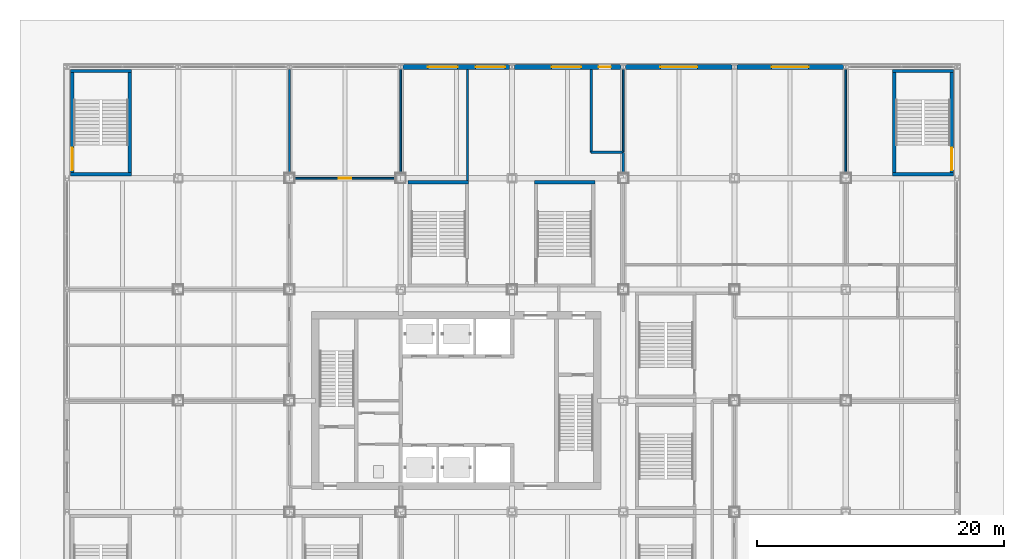
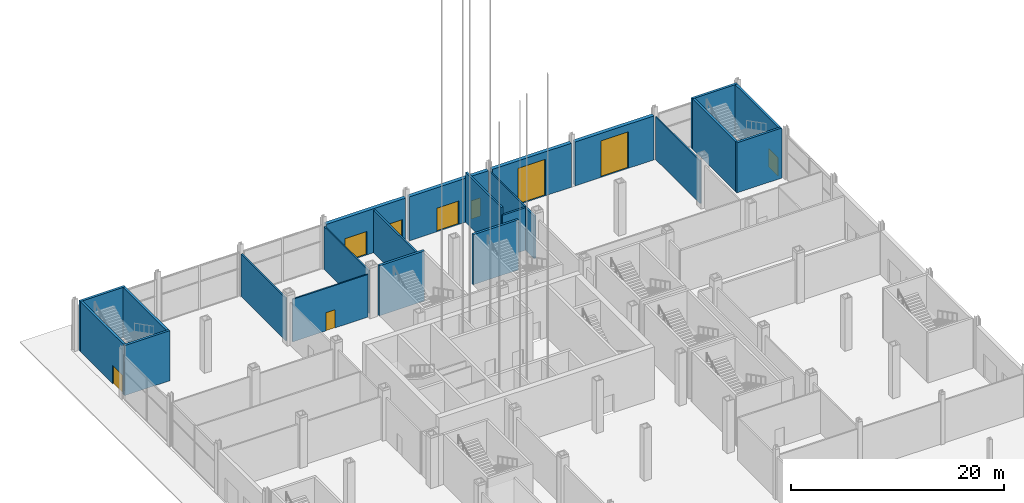
# One storey, part 22 of 34: 23 walls, 9 doors, 9 openings.
"""IFC4 building model written with IfcOpenShell, lengths in metres."""

from ifc_helpers import new_model, si_unit, direction, frame, frame_2d, origin, place, context, subcontext, project, spatial, rectangle, extrude, material, layer, layer_set, type_object, element, fill, save


model = new_model("IFC4")

# Units and contexts
model_context = context("Model", 3, precision=1e-05, world=origin(), true_north=direction((0.0, 1.0)))
body_context = subcontext(model_context, "Body", "Model", "MODEL_VIEW")
ifc_project = project(units=[si_unit("LENGTHUNIT", "METRE"), si_unit("AREAUNIT", "SQUARE_METRE"), si_unit("VOLUMEUNIT", "CUBIC_METRE"), si_unit("PLANEANGLEUNIT", "RADIAN"), si_unit("MASSUNIT", "GRAM", prefix="KILO")], contexts=[model_context])

# Site, building, storey
site_placement = place(None, origin())
site = spatial("IfcSite", under=ifc_project, at=site_placement, CompositionType="ELEMENT")
building_placement = place(site_placement, origin())
building = spatial("IfcBuilding", under=site, at=building_placement, Name="Loomwork Tower", CompositionType="ELEMENT")
storey_placement = place(building_placement, origin())
storey = spatial("IfcBuildingStorey", under=building, at=storey_placement, Name="L00", CompositionType="ELEMENT", Elevation=0.0)

# Wall, openings, doors
ifc_material_1 = material(Name="Limestone on concrete masonry", Category="masonry")
ifc_layer_1 = layer(ifc_material_1, 0.39990234375)
ifc_layer_set_1 = layer_set([ifc_layer_1], Name="Entrance portal wall 400")
wall_type_1 = type_object("IfcWallType", Name="Entrance portal wall 400", PredefinedType="SOLIDWALL", material=ifc_layer_set_1)
wall_1_placement = place(storey_placement, frame((26.79931640625, 45.0, 0.0), z_axis=(0.0, 0.0, 1.0), x_axis=(-1.0, 0.0, 0.0)))
wall_1 = element("IfcWall", 1, at=wall_1_placement, inside=storey, type_object=wall_type_1, Name="Entrance portal wall N 18", PredefinedType="SOLIDWALL", context=body_context, shape_type="SweptSolid", body=[
    extrude(rectangle(XDim=8.5986328125, YDim=0.39990234375, at=frame_2d((4.29931640625, 0.0))), origin(), (0.0, 0.0, 1.0), 5.053955078125),
])
opening_1_placement = place(wall_1_placement, frame((0.35009765625, 0.0, 0.0)))
opening_1 = element("IfcOpeningElement", 2, at=opening_1_placement, cuts=wall_1, Name="Opening D10", PredefinedType="OPENING", context=body_context, shape_type="SweptSolid", body=[
    extrude(rectangle(XDim=2.39990234375, YDim=2.699951171875, at=frame_2d((1.199951171875, 1.35009765625))), frame((0.0, 0.2099609375, 0.0), z_axis=(0.0, -1.0, 0.0), x_axis=(1.0, 0.0, 0.0)), (0.0, 0.0, 1.0), 0.419921875),
])
opening_2_placement = place(wall_1_placement, frame((4.199951171875, 0.0, 0.0)))
opening_2 = element("IfcOpeningElement", 3, at=opening_2_placement, cuts=wall_1, Name="Opening D10", PredefinedType="OPENING", context=body_context, shape_type="SweptSolid", body=[
    extrude(rectangle(XDim=2.39990234375, YDim=2.699951171875, at=frame_2d((1.199951171875, 1.35009765625))), frame((0.0, 0.2099609375, 0.0), z_axis=(0.0, -1.0, 0.0), x_axis=(1.0, 0.0, 0.0)), (0.0, 0.0, 1.0), 0.419921875),
])
ifc_material_2 = material(Name="Hollow metal door and frame")
door_type_1 = type_object("IfcDoorType", Name="Entrance door 2400", OperationType="DOUBLE_DOOR_SINGLE_SWING", PredefinedType="DOOR", material=ifc_material_2)
door_1_placement = place(opening_1_placement, frame((2.39990234375, 0.0, 0.0), z_axis=(0.0, 0.0, 1.0), x_axis=(-1.0, 0.0, 0.0)))
door_1 = element("IfcDoor", 4, at=door_1_placement, inside=storey, type_object=door_type_1, Name="Final exit door N 18 1", OperationType="DOUBLE_DOOR_SINGLE_SWING", OverallHeight=2.699951171875, OverallWidth=2.39990234375, PredefinedType="DOOR", context=body_context, shape_type="SweptSolid", body=[
    extrude(rectangle(XDim=2.39990234375, YDim=2.699951171875, at=frame_2d((1.199951171875, 1.35009765625))), frame((0.0, 0.02490234375, 0.0), z_axis=(0.0, -1.0, 0.0), x_axis=(1.0, 0.0, 0.0)), (0.0, 0.0, 1.0), 0.050048828125),
])
fill(opening_1, door_1)
door_2_placement = place(opening_2_placement, frame((2.39990234375, 0.0, 0.0), z_axis=(0.0, 0.0, 1.0), x_axis=(-1.0, 0.0, 0.0)))
door_2 = element("IfcDoor", 5, at=door_2_placement, inside=storey, type_object=door_type_1, Name="Entrance door N 18 2", OperationType="DOUBLE_DOOR_SINGLE_SWING", OverallHeight=2.699951171875, OverallWidth=2.39990234375, PredefinedType="DOOR", context=body_context, shape_type="SweptSolid", body=[
    extrude(rectangle(XDim=2.39990234375, YDim=2.699951171875, at=frame_2d((1.199951171875, 1.35009765625))), frame((0.0, 0.02490234375, 0.0), z_axis=(0.0, -1.0, 0.0), x_axis=(1.0, 0.0, 0.0)), (0.0, 0.0, 1.0), 0.050048828125),
])
fill(opening_2, door_2)

wall_2_placement = place(storey_placement, frame((35.79931640625, 45.0, 0.0), z_axis=(0.0, 0.0, 1.0), x_axis=(-1.0, 0.0, 0.0)))
wall_2 = element("IfcWall", 6, at=wall_2_placement, inside=storey, type_object=wall_type_1, Name="Entrance portal wall N 27", PredefinedType="SOLIDWALL", context=body_context, shape_type="SweptSolid", body=[
    extrude(rectangle(XDim=8.5986328125, YDim=0.39990234375, at=frame_2d((4.29931640625, 0.0))), origin(), (0.0, 0.0, 1.0), 5.053955078125),
])
opening_3_placement = place(wall_2_placement, frame((0.800048828125, 0.0, 0.0)))
opening_3 = element("IfcOpeningElement", 7, at=opening_3_placement, cuts=wall_2, Name="Opening D12", PredefinedType="OPENING", context=body_context, shape_type="SweptSolid", body=[
    extrude(rectangle(XDim=1.0, YDim=2.10009765625, at=frame_2d((0.5, 1.050048828125))), frame((0.0, 0.2099609375, 0.0), z_axis=(0.0, -1.0, 0.0), x_axis=(1.0, 0.0, 0.0)), (0.0, 0.0, 1.0), 0.419921875),
])
opening_4_placement = place(wall_2_placement, frame((3.199951171875, 0.0, 0.0)))
opening_4 = element("IfcOpeningElement", 8, at=opening_4_placement, cuts=wall_2, Name="Opening D10", PredefinedType="OPENING", context=body_context, shape_type="SweptSolid", body=[
    extrude(rectangle(XDim=2.39990234375, YDim=2.699951171875, at=frame_2d((1.199951171875, 1.35009765625))), frame((0.0, 0.2099609375, 0.0), z_axis=(0.0, -1.0, 0.0), x_axis=(1.0, 0.0, 0.0)), (0.0, 0.0, 1.0), 0.419921875),
])
door_3_placement = place(opening_4_placement, frame((2.39990234375, 0.0, 0.0), z_axis=(0.0, 0.0, 1.0), x_axis=(-1.0, 0.0, 0.0)))
door_3 = element("IfcDoor", 9, at=door_3_placement, inside=storey, type_object=door_type_1, Name="Final exit door N 27 2", OperationType="DOUBLE_DOOR_SINGLE_SWING", OverallHeight=2.699951171875, OverallWidth=2.39990234375, PredefinedType="DOOR", context=body_context, shape_type="SweptSolid", body=[
    extrude(rectangle(XDim=2.39990234375, YDim=2.699951171875, at=frame_2d((1.199951171875, 1.35009765625))), frame((0.0, 0.02490234375, 0.0), z_axis=(0.0, -1.0, 0.0), x_axis=(1.0, 0.0, 0.0)), (0.0, 0.0, 1.0), 0.050048828125),
])
fill(opening_4, door_3)
ifc_material_3 = material(Name="Hollow metal door and frame")
door_type_2 = type_object("IfcDoorType", Name="External service door 1000", OperationType="SINGLE_SWING_RIGHT", PredefinedType="DOOR", material=ifc_material_3)
door_4_placement = place(opening_3_placement, origin())
door_4 = element("IfcDoor", 10, at=door_4_placement, inside=storey, type_object=door_type_2, Name="Service door N 27 1", OperationType="SINGLE_SWING_RIGHT", OverallHeight=2.10009765625, OverallWidth=1.0, PredefinedType="DOOR", context=body_context, shape_type="SweptSolid", body=[
    extrude(rectangle(XDim=1.0, YDim=2.10009765625, at=frame_2d((0.5, 1.050048828125))), frame((0.0, 0.02490234375, 0.0), z_axis=(0.0, -1.0, 0.0), x_axis=(1.0, 0.0, 0.0)), (0.0, 0.0, 1.0), 0.050048828125),
])
fill(opening_3, door_4)

# Wall, opening, door
wall_3_placement = place(storey_placement, frame((44.79931640625, 45.0, 0.0), z_axis=(0.0, 0.0, 1.0), x_axis=(-1.0, 0.0, 0.0)))
wall_3 = element("IfcWall", 11, at=wall_3_placement, inside=storey, type_object=wall_type_1, Name="Entrance portal wall N 36", PredefinedType="SOLIDWALL", context=body_context, shape_type="SweptSolid", body=[
    extrude(rectangle(XDim=8.5986328125, YDim=0.39990234375, at=frame_2d((4.29931640625, 0.0))), origin(), (0.0, 0.0, 1.0), 5.053955078125),
])
opening_5_placement = place(wall_3_placement, frame((2.79931640625, 0.0, 0.0)))
opening_5 = element("IfcOpeningElement", 12, at=opening_5_placement, cuts=wall_3, Name="Opening D11", PredefinedType="OPENING", context=body_context, shape_type="SweptSolid", body=[
    extrude(rectangle(XDim=3.0, YDim=4.199951171875, at=frame_2d((1.5, 2.10009765625))), frame((0.0, 0.2099609375, 0.0), z_axis=(0.0, -1.0, 0.0), x_axis=(1.0, 0.0, 0.0)), (0.0, 0.0, 1.0), 0.419921875),
])
ifc_material_4 = material(Name="Hollow metal door and frame")
door_type_3 = type_object("IfcDoorType", Name="Loading dock door 3000", OperationType="ROLLINGUP", PredefinedType="DOOR", material=ifc_material_4)
door_5_placement = place(opening_5_placement, origin())
door_5 = element("IfcDoor", 13, at=door_5_placement, inside=storey, type_object=door_type_3, Name="Dock door N 36 1", OperationType="ROLLINGUP", OverallHeight=4.199951171875, OverallWidth=3.0, PredefinedType="DOOR", context=body_context, shape_type="SweptSolid", body=[
    extrude(rectangle(XDim=3.0, YDim=4.199951171875, at=frame_2d((1.5, 2.10009765625))), frame((0.0, 0.02490234375, 0.0), z_axis=(0.0, -1.0, 0.0), x_axis=(1.0, 0.0, 0.0)), (0.0, 0.0, 1.0), 0.050048828125),
])
fill(opening_5, door_5)

wall_4_placement = place(storey_placement, frame((53.79931640625, 45.0, 0.0), z_axis=(0.0, 0.0, 1.0), x_axis=(-1.0, 0.0, 0.0)))
wall_4 = element("IfcWall", 14, at=wall_4_placement, inside=storey, type_object=wall_type_1, Name="Entrance portal wall N 45", PredefinedType="SOLIDWALL", context=body_context, shape_type="SweptSolid", body=[
    extrude(rectangle(XDim=8.5986328125, YDim=0.39990234375, at=frame_2d((4.29931640625, 0.0))), origin(), (0.0, 0.0, 1.0), 5.053955078125),
])
opening_6_placement = place(wall_4_placement, frame((2.79931640625, 0.0, 0.0)))
opening_6 = element("IfcOpeningElement", 15, at=opening_6_placement, cuts=wall_4, Name="Opening D11", PredefinedType="OPENING", context=body_context, shape_type="SweptSolid", body=[
    extrude(rectangle(XDim=3.0, YDim=4.199951171875, at=frame_2d((1.5, 2.10009765625))), frame((0.0, 0.2099609375, 0.0), z_axis=(0.0, -1.0, 0.0), x_axis=(1.0, 0.0, 0.0)), (0.0, 0.0, 1.0), 0.419921875),
])
door_6_placement = place(opening_6_placement, origin())
door_6 = element("IfcDoor", 16, at=door_6_placement, inside=storey, type_object=door_type_3, Name="Dock door N 45 1", OperationType="ROLLINGUP", OverallHeight=4.199951171875, OverallWidth=3.0, PredefinedType="DOOR", context=body_context, shape_type="SweptSolid", body=[
    extrude(rectangle(XDim=3.0, YDim=4.199951171875, at=frame_2d((1.5, 2.10009765625))), frame((0.0, 0.02490234375, 0.0), z_axis=(0.0, -1.0, 0.0), x_axis=(1.0, 0.0, 0.0)), (0.0, 0.0, 1.0), 0.050048828125),
])
fill(opening_6, door_6)

ifc_material_5 = material(Name="Gypsum board on steel studs, one-hour", Category="steel")
ifc_layer_2 = layer(ifc_material_5, 0.14990234375)
ifc_layer_set_2 = layer_set([ifc_layer_2], Name="Partition 150")
wall_type_2 = type_object("IfcWallType", Name="Partition 150", PredefinedType="PARTITIONING", material=ifc_layer_set_2)
wall_5_placement = place(storey_placement, frame((17.60009765625, 36.0, 0.0), z_axis=(0.0, 0.0, 1.0), x_axis=(-1.0, 0.0, 0.0)))
wall_5 = element("IfcWall", 17, at=wall_5_placement, inside=storey, type_object=wall_type_2, Name="Partition L00 13.1", PredefinedType="PARTITIONING", context=body_context, shape_type="SweptSolid", body=[
    extrude(rectangle(XDim=8.2001953125, YDim=0.14990234375, at=frame_2d((4.10009765625, 0.0))), origin(), (0.0, 0.0, 1.0), 4.8916015625),
])
opening_7_placement = place(wall_5_placement, frame((3.60009765625, 0.0, 0.0)))
opening_7 = element("IfcOpeningElement", 18, at=opening_7_placement, cuts=wall_5, Name="Opening D7", PredefinedType="OPENING", context=body_context, shape_type="SweptSolid", body=[
    extrude(rectangle(XDim=1.0, YDim=2.10009765625, at=frame_2d((0.5, 1.050048828125))), frame((0.0, 0.0849609375, 0.0), z_axis=(0.0, -1.0, 0.0), x_axis=(1.0, 0.0, 0.0)), (0.0, 0.0, 1.0), 0.169921875),
])
ifc_material_6 = material(Name="Hollow metal door and frame")
door_type_4 = type_object("IfcDoorType", Name="Room door 1000", OperationType="SINGLE_SWING_LEFT", PredefinedType="DOOR", material=ifc_material_6)
door_7_placement = place(opening_7_placement, origin())
door_7 = element("IfcDoor", 19, at=door_7_placement, inside=storey, type_object=door_type_4, Name="Coffee shop door", OperationType="SINGLE_SWING_RIGHT", OverallHeight=2.10009765625, OverallWidth=1.0, PredefinedType="DOOR", context=body_context, shape_type="SweptSolid", body=[
    extrude(rectangle(XDim=1.0, YDim=2.10009765625, at=frame_2d((0.5, 1.050048828125))), frame((0.0, 0.02490234375, 0.0), z_axis=(0.0, -1.0, 0.0), x_axis=(1.0, 0.0, 0.0)), (0.0, 0.0, 1.0), 0.050048828125),
])
fill(opening_7, door_7)

# Walls
for number, where, z_axis, x_axis, name in (
    (20, (9.0, 36.39990234375, 0.0), (0.0, 0.0, 1.0), (0.0, 1.0, 0.0), "Partition L00 14.1"),
    (21, (18.0, 44.800537109375, 0.0), (0.0, 0.0, 1.0), (0.0, -1.0, 0.0), "Partition L00 15.1"),
):
    element("IfcWall", number, at=place(storey_placement, frame(where, z_axis=z_axis, x_axis=x_axis)), inside=storey, type_object=wall_type_2, Name=name, PredefinedType="PARTITIONING", context=body_context, shape_type="SweptSolid", body=[
        extrude(rectangle(XDim=8.400634765625, YDim=0.14990234375, at=frame_2d((4.2001953125, 0.0))), origin(), (0.0, 0.0, 1.0), 4.8916015625),
    ])
wall_6_placement = place(storey_placement, frame((36.0, 38.14990234375, 0.0), z_axis=(0.0, 0.0, 1.0), x_axis=(0.0, 1.0, 0.0)))
element("IfcWall", 22, at=wall_6_placement, inside=storey, type_object=wall_type_2, Name="Partition L00 20.1", PredefinedType="PARTITIONING", context=body_context, shape_type="SweptSolid", body=[
    extrude(rectangle(XDim=6.650634765625, YDim=0.14990234375, at=frame_2d((3.3251953125, 0.0))), origin(), (0.0, 0.0, 1.0), 4.8916015625),
])
wall_7_placement = place(storey_placement, frame((54.0, 44.800537109375, 0.0), z_axis=(0.0, 0.0, 1.0), x_axis=(0.0, -1.0, 0.0)))
element("IfcWall", 23, at=wall_7_placement, inside=storey, type_object=wall_type_2, Name="Partition L00 26.1", PredefinedType="PARTITIONING", context=body_context, shape_type="SweptSolid", body=[
    extrude(rectangle(XDim=8.400634765625, YDim=0.14990234375, at=frame_2d((4.2001953125, 0.0))), origin(), (0.0, 0.0, 1.0), 4.8916015625),
])
ifc_material_7 = material(Name="Gypsum board on steel studs, two-hour", Category="steel")
ifc_layer_3 = layer(ifc_material_7, 0.199951171875)
ifc_layer_set_3 = layer_set([ifc_layer_3], Name="Refuge enclosure wall 200")
wall_type_3 = type_object("IfcWallType", Name="Refuge enclosure wall 200", PredefinedType="PARTITIONING", material=ifc_layer_set_3)
wall_8_placement = place(storey_placement, frame((36.0, 36.39990234375, 0.0), z_axis=(0.0, 0.0, 1.0), x_axis=(0.0, 1.0, 0.0)))
element("IfcWall", 24, at=wall_8_placement, inside=storey, type_object=wall_type_3, Name="Exit passageway wall ep-n-e0 3", PredefinedType="PARTITIONING", context=body_context, shape_type="SweptSolid", body=[
    extrude(rectangle(XDim=1.7001953125, YDim=0.199951171875, at=frame_2d((0.85009765625, 0.0))), origin(), (0.0, 0.0, 1.0), 4.8916015625),
])
wall_9_placement = place(storey_placement, frame((33.39990234375, 38.10009765625, 0.0), z_axis=(0.0, 0.0, 1.0), x_axis=(1.0, 0.0, 0.0)))
element("IfcWall", 25, at=wall_9_placement, inside=storey, type_object=wall_type_3, Name="Exit passageway wall ep-n-n0 1", PredefinedType="PARTITIONING", context=body_context, shape_type="SweptSolid", body=[
    extrude(rectangle(XDim=2.60009765625, YDim=0.199951171875, at=frame_2d((1.300048828125, 0.0))), origin(), (0.0, 0.0, 1.0), 4.89111328125),
])
wall_10_placement = place(storey_placement, frame((33.39990234375, 38.10009765625, 0.0), z_axis=(0.0, 0.0, 1.0), x_axis=(0.0, 1.0, 0.0)))
element("IfcWall", 26, at=wall_10_placement, inside=storey, type_object=wall_type_3, Name="Exit passageway wall ep-n-e1 1", PredefinedType="PARTITIONING", context=body_context, shape_type="SweptSolid", body=[
    extrude(rectangle(XDim=6.699951171875, YDim=0.199951171875, at=frame_2d((3.35009765625, 0.0))), origin(), (0.0, 0.0, 1.0), 5.75),
])
wall_11_placement = place(storey_placement, frame((23.39990234375, 35.800048828125, 0.0), z_axis=(0.0, 0.0, 1.0), x_axis=(0.0, 1.0, 0.0)))
element("IfcWall", 27, at=wall_11_placement, inside=storey, type_object=wall_type_3, Name="Exit passageway wall ep-n-w1 1", PredefinedType="PARTITIONING", context=body_context, shape_type="SweptSolid", body=[
    extrude(rectangle(XDim=9.0, YDim=0.199951171875, at=frame_2d((4.5, 0.0))), origin(), (0.0, 0.0, 1.0), 4.89111328125),
])
ifc_material_8 = material(Name="Concrete masonry, two-hour", Category="masonry")
ifc_layer_4 = layer(ifc_material_8, 0.25)
ifc_layer_set_4 = layer_set([ifc_layer_4], Name="Stair enclosure wall 250")
wall_type_4 = type_object("IfcWallType", Name="Stair enclosure wall 250", PredefinedType="SOLIDWALL", material=ifc_layer_set_4)
for number, where, z_axis, x_axis, name in (
    (28, (-8.699951171875, 36.324951171875, 0.0), (0.0, 0.0, 1.0), (1.0, 0.0, 0.0), "Stair PS3 enclosure wall S L00"),
    (29, (-8.699951171875, 44.675048828125, 0.0), (0.0, 0.0, 1.0), (1.0, 0.0, 0.0), "Stair PS3 enclosure wall N L00"),
):
    element("IfcWall", number, at=place(storey_placement, frame(where, z_axis=z_axis, x_axis=x_axis)), inside=storey, type_object=wall_type_4, Name=name, PredefinedType="SOLIDWALL", context=body_context, shape_type="SweptSolid", body=[
        extrude(rectangle(XDim=4.89990234375, YDim=0.25, at=frame_2d((2.449951171875, 0.0))), origin(), (0.0, 0.0, 1.0), 5.75),
    ])

# Wall, opening, door
wall_12_placement = place(storey_placement, frame((-8.574951171875, 36.449951171875, 0.0), z_axis=(0.0, 0.0, 1.0), x_axis=(0.0, 1.0, 0.0)))
wall_12 = element("IfcWall", 30, at=wall_12_placement, inside=storey, type_object=wall_type_4, Name="Stair PS3 enclosure wall W L00", PredefinedType="SOLIDWALL", context=body_context, shape_type="SweptSolid", body=[
    extrude(rectangle(XDim=8.10009765625, YDim=0.25, at=frame_2d((4.050048828125, 0.0))), origin(), (0.0, 0.0, 1.0), 5.75),
])
opening_8_placement = place(wall_12_placement, frame((0.199951171875, 0.0, 0.0)))
opening_8 = element("IfcOpeningElement", 31, at=opening_8_placement, cuts=wall_12, Name="Opening D14", PredefinedType="OPENING", context=body_context, shape_type="SweptSolid", body=[
    extrude(rectangle(XDim=1.800048828125, YDim=2.10009765625, at=frame_2d((0.89990234375, 1.050048828125))), frame((0.0, 0.135009765625, 0.0), z_axis=(0.0, -1.0, 0.0), x_axis=(1.0, 0.0, 0.0)), (0.0, 0.0, 1.0), 0.27001953125),
])
ifc_material_9 = material(Name="Hollow metal door and frame")
door_type_5 = type_object("IfcDoorType", Name="Stair double door 1800", OperationType="DOUBLE_DOOR_SINGLE_SWING", PredefinedType="DOOR", material=ifc_material_9)
door_8_placement = place(opening_8_placement, origin())
door_8 = element("IfcDoor", 32, at=door_8_placement, inside=storey, type_object=door_type_5, Name="Stair PS3 exit discharge door L00", OperationType="DOUBLE_DOOR_SINGLE_SWING", OverallHeight=2.10009765625, OverallWidth=1.800048828125, PredefinedType="DOOR", context=body_context, shape_type="SweptSolid", body=[
    extrude(rectangle(XDim=1.800048828125, YDim=2.10009765625, at=frame_2d((0.89990234375, 1.050048828125))), frame((0.0, 0.02490234375, 0.0), z_axis=(0.0, -1.0, 0.0), x_axis=(1.0, 0.0, 0.0)), (0.0, 0.0, 1.0), 0.050048828125),
])
fill(opening_8, door_8)

# Walls
wall_13_placement = place(storey_placement, frame((-3.925048828125, 36.449951171875, 0.0), z_axis=(0.0, 0.0, 1.0), x_axis=(0.0, 1.0, 0.0)))
element("IfcWall", 33, at=wall_13_placement, inside=storey, type_object=wall_type_4, Name="Stair PS3 enclosure wall E L00", PredefinedType="SOLIDWALL", context=body_context, shape_type="SweptSolid", body=[
    extrude(rectangle(XDim=8.10009765625, YDim=0.25, at=frame_2d((4.050048828125, 0.0))), origin(), (0.0, 0.0, 1.0), 5.75),
])
for number, where, z_axis, x_axis, name in (
    (34, (57.800048828125, 36.324951171875, 0.0), (0.0, 0.0, 1.0), (1.0, 0.0, 0.0), "Stair PS4 enclosure wall S L00"),
    (35, (57.800048828125, 44.675048828125, 0.0), (0.0, 0.0, 1.0), (1.0, 0.0, 0.0), "Stair PS4 enclosure wall N L00"),
):
    element("IfcWall", number, at=place(storey_placement, frame(where, z_axis=z_axis, x_axis=x_axis)), inside=storey, type_object=wall_type_4, Name=name, PredefinedType="SOLIDWALL", context=body_context, shape_type="SweptSolid", body=[
        extrude(rectangle(XDim=4.89990234375, YDim=0.25, at=frame_2d((2.449951171875, 0.0))), origin(), (0.0, 0.0, 1.0), 5.75),
    ])
wall_14_placement = place(storey_placement, frame((57.925048828125, 36.449951171875, 0.0), z_axis=(0.0, 0.0, 1.0), x_axis=(0.0, 1.0, 0.0)))
element("IfcWall", 36, at=wall_14_placement, inside=storey, type_object=wall_type_4, Name="Stair PS4 enclosure wall W L00", PredefinedType="SOLIDWALL", context=body_context, shape_type="SweptSolid", body=[
    extrude(rectangle(XDim=8.10009765625, YDim=0.25, at=frame_2d((4.050048828125, 0.0))), origin(), (0.0, 0.0, 1.0), 5.75),
])

# Wall, opening, door
wall_15_placement = place(storey_placement, frame((62.574951171875, 36.449951171875, 0.0), z_axis=(0.0, 0.0, 1.0), x_axis=(0.0, 1.0, 0.0)))
wall_15 = element("IfcWall", 37, at=wall_15_placement, inside=storey, type_object=wall_type_4, Name="Stair PS4 enclosure wall E L00", PredefinedType="SOLIDWALL", context=body_context, shape_type="SweptSolid", body=[
    extrude(rectangle(XDim=8.10009765625, YDim=0.25, at=frame_2d((4.050048828125, 0.0))), origin(), (0.0, 0.0, 1.0), 5.75),
])
opening_9_placement = place(wall_15_placement, frame((0.199951171875, 0.0, 0.0)))
opening_9 = element("IfcOpeningElement", 38, at=opening_9_placement, cuts=wall_15, Name="Opening D14", PredefinedType="OPENING", context=body_context, shape_type="SweptSolid", body=[
    extrude(rectangle(XDim=1.800048828125, YDim=2.10009765625, at=frame_2d((0.89990234375, 1.050048828125))), frame((0.0, 0.135009765625, 0.0), z_axis=(0.0, -1.0, 0.0), x_axis=(1.0, 0.0, 0.0)), (0.0, 0.0, 1.0), 0.27001953125),
])
door_9_placement = place(opening_9_placement, frame((1.800048828125, 0.0, 0.0), z_axis=(0.0, 0.0, 1.0), x_axis=(-1.0, 0.0, 0.0)))
door_9 = element("IfcDoor", 39, at=door_9_placement, inside=storey, type_object=door_type_5, Name="Stair PS4 exit discharge door L00", OperationType="DOUBLE_DOOR_SINGLE_SWING", OverallHeight=2.10009765625, OverallWidth=1.800048828125, PredefinedType="DOOR", context=body_context, shape_type="SweptSolid", body=[
    extrude(rectangle(XDim=1.800048828125, YDim=2.10009765625, at=frame_2d((0.89990234375, 1.050048828125))), frame((0.0, 0.02490234375, 0.0), z_axis=(0.0, -1.0, 0.0), x_axis=(1.0, 0.0, 0.0)), (0.0, 0.0, 1.0), 0.050048828125),
])
fill(opening_9, door_9)

# Walls
for number, where, z_axis, x_axis, name in (
    (40, (18.60009765625, 35.675048828125, 0.0), (0.0, 0.0, 1.0), (1.0, 0.0, 0.0), "Stair PS10 enclosure wall N L00"),
    (41, (28.800048828125, 35.675048828125, 0.0), (0.0, 0.0, 1.0), (1.0, 0.0, 0.0), "Stair PS11 enclosure wall N L00"),
):
    element("IfcWall", number, at=place(storey_placement, frame(where, z_axis=z_axis, x_axis=x_axis)), inside=storey, type_object=wall_type_4, Name=name, PredefinedType="SOLIDWALL", context=body_context, shape_type="SweptSolid", body=[
        extrude(rectangle(XDim=4.89990234375, YDim=0.25, at=frame_2d((2.449951171875, 0.0))), origin(), (0.0, 0.0, 1.0), 5.75),
    ])

save(model, "model.ifc")
